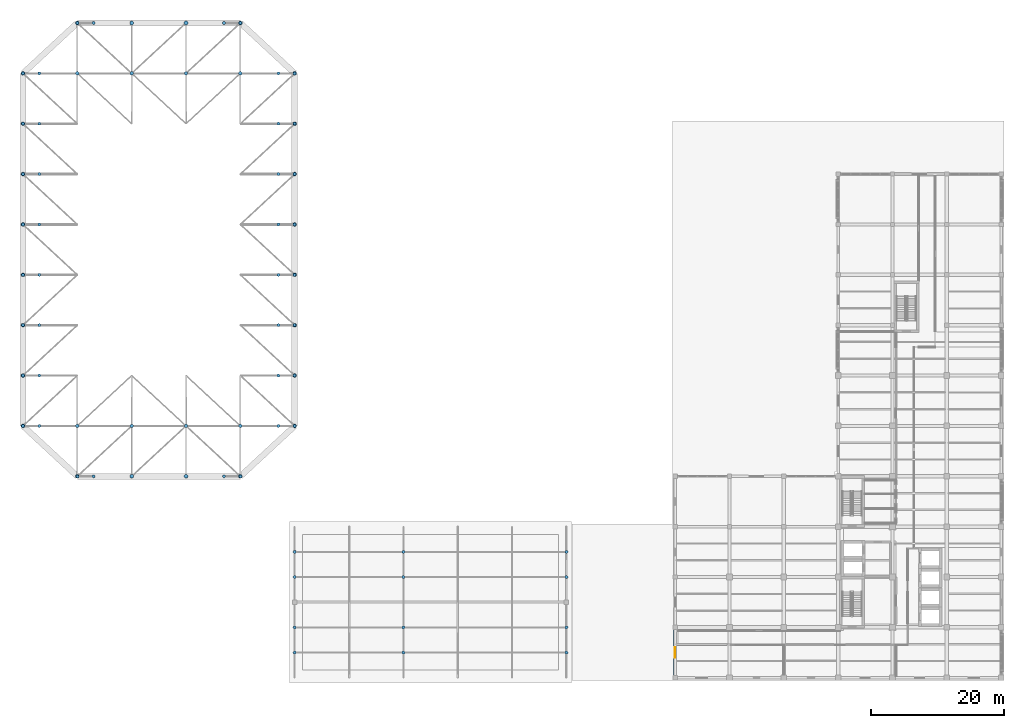
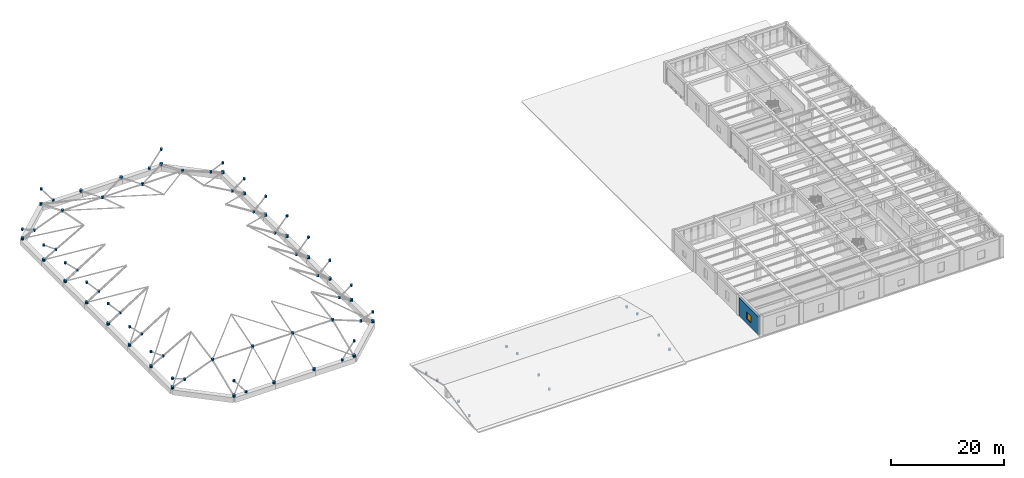
# One storey, part 14 of 23: 84 plates, 1 wall, 1 window, 1 opening.
"""IFC4 building model written with IfcOpenShell, lengths in metres."""

import ifcopenshell
import ifcopenshell.guid

model = None  # the IFC model being written
_history = None  # IfcOwnerHistory: only IFC2X3 demands one
_inside = {}  # id of a spatial element -> (the spatial element, [elements in it])
_under = {}  # id of a project, library or spatial element -> (it, [spatial elements below it])
_declared = {}  # id of a project -> (the project, [libraries it declares])
_typed = {}  # id of a type object -> (the type object, [elements of that type])
_made_of = {}  # id of a material, layer set ... -> (it, [elements and type objects made of it])


def new_model(schema):
    """Start an empty IFC model of exactly this schema.

    Asked for "IFC4X3", IfcOpenShell would pick the latest addendum, in which some entities
    have other attributes; the version numbers below select the first issue.
    IFC2X3 requires an IfcOwnerHistory on every rooted entity: one is made here for all.
    """
    global model, _history
    if schema == "IFC4X3":
        model = ifcopenshell.file(schema_version=(4, 3, 0, 0))
    else:
        model = ifcopenshell.file(schema=schema)
    _inside.clear()
    _under.clear()
    _declared.clear()
    _typed.clear()
    _made_of.clear()
    _history = None
    if model.schema == "IFC2X3":
        org = make("IfcOrganization", Name="unknown")
        user = make(
            "IfcPersonAndOrganization",
            ThePerson=make("IfcPerson", FamilyName="unknown"),
            TheOrganization=org,
        )
        app = make(
            "IfcApplication",
            ApplicationDeveloper=org,
            Version="unknown",
            ApplicationFullName="unknown",
            ApplicationIdentifier="unknown",
        )
        _history = make(
            "IfcOwnerHistory",
            OwningUser=user,
            OwningApplication=app,
            ChangeAction="ADDED",
            CreationDate=0,
        )
    return model


def make(cls, **values):
    """One entity of the class cls with the attributes given. An attribute that is None is left unset."""
    return model.create_entity(
        cls, **{name: value for name, value in values.items() if value is not None}
    )


def rooted(cls, **values):
    """An entity with a GlobalId (a new one), such as an element, a storey or a relation."""
    return make(cls, GlobalId=ifcopenshell.guid.new(), OwnerHistory=_history, **values)


def si_unit(unit_type, name, prefix=None):
    """IfcSIUnit, for example si_unit("LENGTHUNIT", "METRE", prefix="MILLI")."""
    return make("IfcSIUnit", UnitType=unit_type, Prefix=prefix, Name=name)


def assignment(units):
    """IfcUnitAssignment: the units of a project."""
    return None if units is None else make("IfcUnitAssignment", Units=units)


def point(xyz):
    """IfcCartesianPoint."""
    return None if xyz is None else make("IfcCartesianPoint", Coordinates=xyz)


def direction(xyz):
    """IfcDirection."""
    return None if xyz is None else make("IfcDirection", DirectionRatios=xyz)


def frame(location, z_axis=None, x_axis=None):
    """IfcAxis2Placement3D, a coordinate frame: its origin and axes. An axis left out is left unset."""
    return make(
        "IfcAxis2Placement3D",
        Location=point(location),
        Axis=direction(z_axis),
        RefDirection=direction(x_axis),
    )


def frame_2d(location, x_axis=None):
    """IfcAxis2Placement2D, a coordinate frame in the plane: its origin and x axis."""
    return make(
        "IfcAxis2Placement2D", Location=point(location), RefDirection=direction(x_axis)
    )


def origin():
    """The frame at (0, 0, 0) with its axes left unset."""
    return frame((0.0, 0.0, 0.0))


def origin_2d():
    """The frame at (0, 0) in the plane with its x axis left unset."""
    return frame_2d((0.0, 0.0))


def place(relative_to, where):
    """IfcLocalPlacement: puts the frame where relative to a parent placement (None: the world)."""
    return make(
        "IfcLocalPlacement", PlacementRelTo=relative_to, RelativePlacement=where
    )


def context(
    kind, dimensions, precision=None, world=None, true_north=None, identifier=None
):
    """IfcGeometricRepresentationContext, for example the 3D "Model" context."""
    return make(
        "IfcGeometricRepresentationContext",
        ContextIdentifier=identifier,
        ContextType=kind,
        CoordinateSpaceDimension=dimensions,
        Precision=precision,
        WorldCoordinateSystem=world,
        TrueNorth=true_north,
    )


def subcontext(parent, identifier, kind, view, scale=None):
    """IfcGeometricRepresentationSubContext, for example "Body" below "Model"."""
    return make(
        "IfcGeometricRepresentationSubContext",
        ContextIdentifier=identifier,
        ContextType=kind,
        ParentContext=parent,
        TargetScale=scale,
        TargetView=view,
    )


def project(units=None, contexts=None):
    """IfcProject with its units and contexts."""
    return rooted(
        "IfcProject",
        Name="project",
        RepresentationContexts=contexts,
        UnitsInContext=assignment(units),
    )


def spatial(cls, under=None, at=None, **own):
    """A site, building, storey or space (cls), placed at a placement, below another one or the project."""
    s = rooted(cls, ObjectPlacement=at, **own)
    if under is not None:
        _under.setdefault(under.id(), (under, []))[1].append(s)
    return s


def profile(cls, at=None, kind="AREA", **sizes):
    """A parametric profile (cls). Its sizes go by their IFC names, for example OverallWidth=200.0."""
    return make(cls, ProfileType=kind, Position=at, **sizes)


def rectangle(**sizes):
    """IfcRectangleProfileDef."""
    return profile("IfcRectangleProfileDef", **sizes)


def circle(**sizes):
    """IfcCircleProfileDef."""
    return profile("IfcCircleProfileDef", **sizes)


def extrude(swept, where, along, depth):
    """IfcExtrudedAreaSolid: the profile swept, set in the frame where, extruded along a direction by depth."""
    return make(
        "IfcExtrudedAreaSolid",
        SweptArea=swept,
        Position=where,
        ExtrudedDirection=direction(along),
        Depth=depth,
    )


def shape(context_of_items, identifier, shape_type, items):
    """IfcShapeRepresentation: the items that make up one representation, for example the "Body"."""
    return make(
        "IfcShapeRepresentation",
        ContextOfItems=context_of_items,
        RepresentationIdentifier=identifier,
        RepresentationType=shape_type,
        Items=items,
    )


def material(Name=None, Category=None):
    """IfcMaterial."""
    return make("IfcMaterial", Name=Name, Category=Category)


def layer(
    of_material, thickness, ventilated=None, Name=None, Category=None, Priority=None
):
    """IfcMaterialLayer: one layer of a wall or slab, of a material (None: an air gap)."""
    return make(
        "IfcMaterialLayer",
        Material=of_material,
        LayerThickness=thickness,
        IsVentilated=ventilated,
        Name=Name,
        Category=Category,
        Priority=Priority,
    )


def layer_set(layers, Name=None):
    """IfcMaterialLayerSet."""
    return make("IfcMaterialLayerSet", MaterialLayers=layers, LayerSetName=Name)


def made_of(thing, what):
    """Note that an element or type object is made of a material, layer set ...; save() writes the relation."""
    if what is not None:
        _made_of.setdefault(what.id(), (what, []))[1].append(thing)
    return thing


def type_object(cls, material=None, **own):
    """A type object (cls), such as IfcWallType, which elements share."""
    return made_of(rooted(cls, **own), material)


def element(
    cls,
    number,
    at=None,
    inside=None,
    cuts=None,
    type_object=None,
    material=None,
    context=None,
    identifier="Body",
    shape_type=None,
    held_by="IfcProductDefinitionShape",
    body=None,
    shapes=None,
    **own,
):
    """One element of the class cls, such as IfcWall. Its Tag is "e" and its number.

    at: its placement. inside: the storey or other place that contains it. cuts: it is an
    opening in that element (IfcRelVoidsElement). A single representation is given by context,
    identifier, shape_type and body (its items); several are given by shapes. held_by: the class
    of the entity that holds the representations. save() writes the other relations.
    """
    e = rooted(cls, Tag="e%d" % number, ObjectPlacement=at, **own)
    if body is not None:
        shapes = [shape(context, identifier, shape_type, body)]
    if shapes is not None:
        e.Representation = make(held_by, Representations=shapes)
    if inside is not None:
        _inside.setdefault(inside.id(), (inside, []))[1].append(e)
    if cuts is not None:
        rooted(
            "IfcRelVoidsElement", RelatingBuildingElement=cuts, RelatedOpeningElement=e
        )
    if type_object is not None:
        _typed.setdefault(type_object.id(), (type_object, []))[1].append(e)
    return made_of(e, material)


def fill(opening, filler):
    """IfcRelFillsElement: the door or window that sits in an opening."""
    return rooted(
        "IfcRelFillsElement",
        RelatingOpeningElement=opening,
        RelatedBuildingElement=filler,
    )


def aggregate(whole, parts):
    """IfcRelAggregates: a whole, such as a stair, and the parts it consists of."""
    return rooted("IfcRelAggregates", RelatingObject=whole, RelatedObjects=parts)


def save(model, path):
    """Write the relations noted so far, then the file.

    IfcRelAggregates (storeys below a building ...), IfcRelContainedInSpatialStructure (elements
    in a storey), IfcRelDefinesByType, IfcRelAssociatesMaterial and IfcRelDeclares: one each for
    every whole, place, type object, material and project.
    """
    for whole, parts in _under.values():
        aggregate(whole, parts)
    for where, things in _inside.values():
        rooted(
            "IfcRelContainedInSpatialStructure",
            RelatedElements=things,
            RelatingStructure=where,
        )
    for kind, things in _typed.values():
        rooted("IfcRelDefinesByType", RelatedObjects=things, RelatingType=kind)
    for what, things in _made_of.values():
        rooted("IfcRelAssociatesMaterial", RelatedObjects=things, RelatingMaterial=what)
    for by, libraries in _declared.values():
        rooted("IfcRelDeclares", RelatingContext=by, RelatedDefinitions=libraries)
    model.write(path)


model = new_model("IFC4")

# Units and contexts
model_context = context("Model", 3, precision=1e-05, world=origin(), true_north=direction((0.0, 1.0)))
body_context = subcontext(model_context, "Body", "Model", "MODEL_VIEW")
ifc_project = project(units=[si_unit("LENGTHUNIT", "METRE"), si_unit("AREAUNIT", "SQUARE_METRE"), si_unit("VOLUMEUNIT", "CUBIC_METRE"), si_unit("PLANEANGLEUNIT", "RADIAN"), si_unit("MASSUNIT", "GRAM", prefix="KILO")], contexts=[model_context])

# Site, building, storey
site_placement = place(None, origin())
site = spatial("IfcSite", under=ifc_project, at=site_placement, CompositionType="ELEMENT")
building_placement = place(site_placement, origin())
building = spatial("IfcBuilding", under=site, at=building_placement, Name="Qandaris Square Conservatory and Botanical Centre", CompositionType="ELEMENT")
storey_placement = place(building_placement, frame((0.0, 0.0, 15.0)))
storey = spatial("IfcBuildingStorey", under=building, at=storey_placement, Name="L03", CompositionType="ELEMENT", Elevation=15.0)

# Plates
ifc_material_1 = material(Name="Steel S355", Category="steel")
ifc_layer_1 = layer(ifc_material_1, 0.419921875)
ifc_layer_set_1 = layer_set([ifc_layer_1], Name="Steel S355")
plate_type_1 = type_object("IfcPlateType", Name="Gridshell Crown Connector Drum KN3", PredefinedType="USERDEFINED", material=ifc_layer_set_1)
for number, where, z_axis, x_axis, name in (
    (1, (16.199951171875, 54.60009765625, 2.00048828125), (0.0, 0.0, 1.0), (1.0, 0.0, 0.0), "Dome Glazing Node 0.1"),
    (2, (18.659912109375, 54.60009765625, 0.924072265625), (0.0, 0.0, 1.0), (1.0, 0.0, 0.0), "Dome Strut Seat 0.1"),
    (3, (16.199951171875, 62.199951171875, 3.1708984375), (0.0, 0.0, 1.0), (1.0, 0.0, 0.0), "Dome Glazing Node 0.2"),
    (4, (18.659912109375, 62.199951171875, 1.36474609375), (0.0, 0.0, 1.0), (1.0, 0.0, 0.0), "Dome Strut Seat 0.2"),
    (5, (16.199951171875, 69.800048828125, 3.951171875), (0.0, 0.0, 1.0), (1.0, 0.0, 0.0), "Dome Glazing Node 0.3"),
    (6, (18.659912109375, 69.800048828125, 1.515625), (0.0, 0.0, 1.0), (1.0, 0.0, 0.0), "Dome Strut Seat 0.3"),
    (7, (16.199951171875, 77.39990234375, 4.34130859375), (0.0, 0.0, 1.0), (1.0, 0.0, 0.0), "Dome Glazing Node 0.4"),
    (8, (18.659912109375, 77.39990234375, 1.515625), (0.0, 0.0, 1.0), (1.0, 0.0, 0.0), "Dome Strut Seat 0.4"),
    (9, (16.199951171875, 85.0, 4.34130859375), (0.0, 0.0, 1.0), (1.0, 0.0, 0.0), "Dome Glazing Node 0.5"),
    (10, (18.659912109375, 85.0, 1.515625), (0.0, 0.0, 1.0), (1.0, 0.0, 0.0), "Dome Strut Seat 0.5"),
    (11, (16.199951171875, 92.60009765625, 3.951171875), (0.0, 0.0, 1.0), (1.0, 0.0, 0.0), "Dome Glazing Node 0.6"),
    (12, (18.659912109375, 92.60009765625, 1.515625), (0.0, 0.0, 1.0), (1.0, 0.0, 0.0), "Dome Strut Seat 0.6"),
    (13, (16.199951171875, 100.199951171875, 3.1708984375), (0.0, 0.0, 1.0), (1.0, 0.0, 0.0), "Dome Glazing Node 0.7"),
    (14, (18.659912109375, 100.199951171875, 1.36474609375), (0.0, 0.0, 1.0), (1.0, 0.0, 0.0), "Dome Strut Seat 0.7"),
    (15, (16.199951171875, 107.800048828125, 2.00048828125), (0.0, 0.0, 1.0), (1.0, 0.0, 0.0), "Dome Glazing Node 0.8"),
    (16, (18.659912109375, 107.800048828125, 0.924072265625), (0.0, 0.0, 1.0), (1.0, 0.0, 0.0), "Dome Strut Seat 0.8"),
    (17, (24.39990234375, 47.0, 3.22412109375), (0.0, 0.0, 1.0), (1.0, 0.0, 0.0), "Dome Glazing Node 1.0"),
    (18, (26.860107421875, 47.0, -0.030029296875), (0.0, 0.0, 1.0), (1.0, 0.0, 0.0), "Dome Strut Seat 1.0"),
    (19, (24.39990234375, 115.39990234375, 3.22412109375), (0.0, 0.0, 1.0), (1.0, 0.0, 0.0), "Dome Glazing Node 1.9"),
    (20, (26.860107421875, 115.39990234375, -0.030029296875), (0.0, 0.0, 1.0), (1.0, 0.0, 0.0), "Dome Strut Seat 1.9"),
    (21, (49.0, 47.0, 3.22412109375), (0.0, 0.0, 1.0), (1.0, 0.0, 0.0), "Dome Glazing Node 4.0"),
    (22, (46.5400390625, 47.0, -0.030029296875), (0.0, 0.0, 1.0), (1.0, 0.0, 0.0), "Dome Strut Seat 4.0"),
    (23, (49.0, 115.39990234375, 3.22412109375), (0.0, 0.0, 1.0), (1.0, 0.0, 0.0), "Dome Glazing Node 4.9"),
    (24, (46.5400390625, 115.39990234375, -0.030029296875), (0.0, 0.0, 1.0), (1.0, 0.0, 0.0), "Dome Strut Seat 4.9"),
    (25, (57.199951171875, 54.60009765625, 2.00048828125), (0.0, 0.0, 1.0), (1.0, 0.0, 0.0), "Dome Glazing Node 5.1"),
    (26, (54.739990234375, 54.60009765625, 0.924072265625), (0.0, 0.0, 1.0), (1.0, 0.0, 0.0), "Dome Strut Seat 5.1"),
    (27, (57.199951171875, 62.199951171875, 3.1708984375), (0.0, 0.0, 1.0), (1.0, 0.0, 0.0), "Dome Glazing Node 5.2"),
    (28, (54.739990234375, 62.199951171875, 1.36474609375), (0.0, 0.0, 1.0), (1.0, 0.0, 0.0), "Dome Strut Seat 5.2"),
    (29, (57.199951171875, 69.800048828125, 3.951171875), (0.0, 0.0, 1.0), (1.0, 0.0, 0.0), "Dome Glazing Node 5.3"),
    (30, (54.739990234375, 69.800048828125, 1.515625), (0.0, 0.0, 1.0), (1.0, 0.0, 0.0), "Dome Strut Seat 5.3"),
    (31, (57.199951171875, 77.39990234375, 4.34130859375), (0.0, 0.0, 1.0), (1.0, 0.0, 0.0), "Dome Glazing Node 5.4"),
    (32, (54.739990234375, 77.39990234375, 1.515625), (0.0, 0.0, 1.0), (1.0, 0.0, 0.0), "Dome Strut Seat 5.4"),
    (33, (57.199951171875, 85.0, 4.34130859375), (0.0, 0.0, 1.0), (1.0, 0.0, 0.0), "Dome Glazing Node 5.5"),
    (34, (54.739990234375, 85.0, 1.515625), (0.0, 0.0, 1.0), (1.0, 0.0, 0.0), "Dome Strut Seat 5.5"),
    (35, (57.199951171875, 92.60009765625, 3.951171875), (0.0, 0.0, 1.0), (1.0, 0.0, 0.0), "Dome Glazing Node 5.6"),
    (36, (54.739990234375, 92.60009765625, 1.515625), (0.0, 0.0, 1.0), (1.0, 0.0, 0.0), "Dome Strut Seat 5.6"),
    (37, (57.199951171875, 100.199951171875, 3.1708984375), (0.0, 0.0, 1.0), (1.0, 0.0, 0.0), "Dome Glazing Node 5.7"),
    (38, (54.739990234375, 100.199951171875, 1.36474609375), (0.0, 0.0, 1.0), (1.0, 0.0, 0.0), "Dome Strut Seat 5.7"),
    (39, (57.199951171875, 107.800048828125, 2.00048828125), (0.0, 0.0, 1.0), (1.0, 0.0, 0.0), "Dome Glazing Node 5.8"),
    (40, (54.739990234375, 107.800048828125, 0.924072265625), (0.0, 0.0, 1.0), (1.0, 0.0, 0.0), "Dome Strut Seat 5.8"),
    (41, (57.199951171875, 20.39990234375, 0.29345703125), (0.0, 0.0, 1.0), (1.0, 0.0, 0.0), "Auditorium Purlin Cap AUD-KN-572-204"),
    (42, (73.60009765625, 20.39990234375, 0.29345703125), (0.0, 0.0, 1.0), (1.0, 0.0, 0.0), "Auditorium Purlin Cap AUD-KN-736-204"),
    (43, (98.199951171875, 20.39990234375, 0.29345703125), (0.0, 0.0, 1.0), (1.0, 0.0, 0.0), "Auditorium Purlin Cap AUD-KN-982-204"),
    (44, (57.199951171875, 24.199951171875, 1.07666015625), (0.0, 0.0, 1.0), (1.0, 0.0, 0.0), "Auditorium Purlin Cap AUD-KN-572-242"),
    (45, (73.60009765625, 24.199951171875, 1.07666015625), (0.0, 0.0, 1.0), (1.0, 0.0, 0.0), "Auditorium Purlin Cap AUD-KN-736-242"),
    (46, (98.199951171875, 24.199951171875, 1.07666015625), (0.0, 0.0, 1.0), (1.0, 0.0, 0.0), "Auditorium Purlin Cap AUD-KN-982-242"),
    (47, (57.199951171875, 31.800048828125, 1.07666015625), (0.0, 0.0, 1.0), (1.0, 0.0, 0.0), "Auditorium Purlin Cap AUD-KN-572-318"),
    (48, (73.60009765625, 31.800048828125, 1.07666015625), (0.0, 0.0, 1.0), (1.0, 0.0, 0.0), "Auditorium Purlin Cap AUD-KN-736-318"),
    (49, (98.199951171875, 31.800048828125, 1.07666015625), (0.0, 0.0, 1.0), (1.0, 0.0, 0.0), "Auditorium Purlin Cap AUD-KN-982-318"),
    (50, (57.199951171875, 35.60009765625, 0.29345703125), (0.0, 0.0, 1.0), (1.0, 0.0, 0.0), "Auditorium Purlin Cap AUD-KN-572-356"),
    (51, (73.60009765625, 35.60009765625, 0.29345703125), (0.0, 0.0, 1.0), (1.0, 0.0, 0.0), "Auditorium Purlin Cap AUD-KN-736-356"),
    (52, (98.199951171875, 35.60009765625, 0.29345703125), (0.0, 0.0, 1.0), (1.0, 0.0, 0.0), "Auditorium Purlin Cap AUD-KN-982-356"),
):
    element("IfcPlate", number, at=place(storey_placement, frame(where, z_axis=z_axis, x_axis=x_axis)), inside=storey, type_object=plate_type_1, Name=name, ObjectType="CONNECTOR PLATE", PredefinedType="USERDEFINED", context=body_context, shape_type="SweptSolid", body=[
        extrude(circle(Radius=0.22998046875, at=origin_2d()), origin(), (0.0, 0.0, 1.0), 0.419921875),
    ])
ifc_layer_2 = layer(ifc_material_1, 0.47998046875)
ifc_layer_set_2 = layer_set([ifc_layer_2], Name="Steel S355")
plate_type_2 = type_object("IfcPlateType", Name="Gridshell Mid Connector Drum KN2", PredefinedType="USERDEFINED", material=ifc_layer_set_2)
for number, where, z_axis, x_axis, name in (
    (53, (24.39990234375, 54.60009765625, 3.1201171875), (0.0, 0.0, 1.0), (1.0, 0.0, 0.0), "Gridshell Node Drum KN-1-1"),
    (54, (24.39990234375, 107.800048828125, 3.1201171875), (0.0, 0.0, 1.0), (1.0, 0.0, 0.0), "Gridshell Node Drum KN-1-8"),
    (55, (32.60009765625, 54.60009765625, 3.1201171875), (0.0, 0.0, 1.0), (1.0, 0.0, 0.0), "Gridshell Node Drum KN-2-1"),
    (56, (32.60009765625, 107.800048828125, 3.1201171875), (0.0, 0.0, 1.0), (1.0, 0.0, 0.0), "Gridshell Node Drum KN-2-8"),
    (57, (40.800048828125, 54.60009765625, 3.1201171875), (0.0, 0.0, 1.0), (1.0, 0.0, 0.0), "Gridshell Node Drum KN-3-1"),
    (58, (40.800048828125, 107.800048828125, 3.1201171875), (0.0, 0.0, 1.0), (1.0, 0.0, 0.0), "Gridshell Node Drum KN-3-8"),
    (59, (49.0, 54.60009765625, 3.1201171875), (0.0, 0.0, 1.0), (1.0, 0.0, 0.0), "Gridshell Node Drum KN-4-1"),
    (60, (49.0, 107.800048828125, 3.1201171875), (0.0, 0.0, 1.0), (1.0, 0.0, 0.0), "Gridshell Node Drum KN-4-8"),
):
    element("IfcPlate", number, at=place(storey_placement, frame(where, z_axis=z_axis, x_axis=x_axis)), inside=storey, type_object=plate_type_2, Name=name, ObjectType="CONNECTOR PLATE", PredefinedType="USERDEFINED", context=body_context, shape_type="SweptSolid", body=[
        extrude(circle(Radius=0.260009765625, at=origin_2d()), origin(), (0.0, 0.0, 1.0), 0.47998046875),
    ])
ifc_layer_3 = layer(ifc_material_1, 0.5400390625)
ifc_layer_set_3 = layer_set([ifc_layer_3], Name="Steel S355")
plate_type_3 = type_object("IfcPlateType", Name="Gridshell Springing Connector Drum KN1", PredefinedType="USERDEFINED", material=ifc_layer_set_3)
for number, where, z_axis, x_axis, name in (
    (61, (16.199951171875, 54.60009765625, -0.090087890625), (0.0, 0.0, 1.0), (1.0, 0.0, 0.0), "Gridshell Node Drum KN-0-1"),
    (62, (16.199951171875, 62.199951171875, -0.090087890625), (0.0, 0.0, 1.0), (1.0, 0.0, 0.0), "Gridshell Node Drum KN-0-2"),
    (63, (16.199951171875, 69.800048828125, -0.090087890625), (0.0, 0.0, 1.0), (1.0, 0.0, 0.0), "Gridshell Node Drum KN-0-3"),
    (64, (16.199951171875, 77.39990234375, -0.090087890625), (0.0, 0.0, 1.0), (1.0, 0.0, 0.0), "Gridshell Node Drum KN-0-4"),
    (65, (16.199951171875, 85.0, -0.090087890625), (0.0, 0.0, 1.0), (1.0, 0.0, 0.0), "Gridshell Node Drum KN-0-5"),
    (66, (16.199951171875, 92.60009765625, -0.090087890625), (0.0, 0.0, 1.0), (1.0, 0.0, 0.0), "Gridshell Node Drum KN-0-6"),
    (67, (16.199951171875, 100.199951171875, -0.090087890625), (0.0, 0.0, 1.0), (1.0, 0.0, 0.0), "Gridshell Node Drum KN-0-7"),
    (68, (16.199951171875, 107.800048828125, -0.090087890625), (0.0, 0.0, 1.0), (1.0, 0.0, 0.0), "Gridshell Node Drum KN-0-8"),
    (69, (24.39990234375, 47.0, -0.090087890625), (0.0, 0.0, 1.0), (1.0, 0.0, 0.0), "Gridshell Node Drum KN-1-0"),
    (70, (24.39990234375, 115.39990234375, -0.090087890625), (0.0, 0.0, 1.0), (1.0, 0.0, 0.0), "Gridshell Node Drum KN-1-9"),
    (71, (32.60009765625, 47.0, -0.090087890625), (0.0, 0.0, 1.0), (1.0, 0.0, 0.0), "Gridshell Node Drum KN-2-0"),
    (72, (32.60009765625, 115.39990234375, -0.090087890625), (0.0, 0.0, 1.0), (1.0, 0.0, 0.0), "Gridshell Node Drum KN-2-9"),
    (73, (40.800048828125, 47.0, -0.090087890625), (0.0, 0.0, 1.0), (1.0, 0.0, 0.0), "Gridshell Node Drum KN-3-0"),
    (74, (40.800048828125, 115.39990234375, -0.090087890625), (0.0, 0.0, 1.0), (1.0, 0.0, 0.0), "Gridshell Node Drum KN-3-9"),
    (75, (49.0, 47.0, -0.090087890625), (0.0, 0.0, 1.0), (1.0, 0.0, 0.0), "Gridshell Node Drum KN-4-0"),
    (76, (49.0, 115.39990234375, -0.090087890625), (0.0, 0.0, 1.0), (1.0, 0.0, 0.0), "Gridshell Node Drum KN-4-9"),
    (77, (57.199951171875, 54.60009765625, -0.090087890625), (0.0, 0.0, 1.0), (1.0, 0.0, 0.0), "Gridshell Node Drum KN-5-1"),
    (78, (57.199951171875, 62.199951171875, -0.090087890625), (0.0, 0.0, 1.0), (1.0, 0.0, 0.0), "Gridshell Node Drum KN-5-2"),
    (79, (57.199951171875, 69.800048828125, -0.090087890625), (0.0, 0.0, 1.0), (1.0, 0.0, 0.0), "Gridshell Node Drum KN-5-3"),
    (80, (57.199951171875, 77.39990234375, -0.090087890625), (0.0, 0.0, 1.0), (1.0, 0.0, 0.0), "Gridshell Node Drum KN-5-4"),
    (81, (57.199951171875, 85.0, -0.090087890625), (0.0, 0.0, 1.0), (1.0, 0.0, 0.0), "Gridshell Node Drum KN-5-5"),
    (82, (57.199951171875, 92.60009765625, -0.090087890625), (0.0, 0.0, 1.0), (1.0, 0.0, 0.0), "Gridshell Node Drum KN-5-6"),
    (83, (57.199951171875, 100.199951171875, -0.090087890625), (0.0, 0.0, 1.0), (1.0, 0.0, 0.0), "Gridshell Node Drum KN-5-7"),
    (84, (57.199951171875, 107.800048828125, -0.090087890625), (0.0, 0.0, 1.0), (1.0, 0.0, 0.0), "Gridshell Node Drum KN-5-8"),
):
    element("IfcPlate", number, at=place(storey_placement, frame(where, z_axis=z_axis, x_axis=x_axis)), inside=storey, type_object=plate_type_3, Name=name, ObjectType="CONNECTOR PLATE", PredefinedType="USERDEFINED", context=body_context, shape_type="SweptSolid", body=[
        extrude(circle(Radius=0.2900390625, at=origin_2d()), origin(), (0.0, 0.0, 1.0), 0.5400390625),
    ])

# Wall, opening, window
ifc_material_2 = material(Name="Concrete C40/50", Category="concrete")
ifc_layer_4 = layer(ifc_material_2, 0.419921875)
ifc_layer_set_4 = layer_set([ifc_layer_4], Name="Concrete C40/50")
wall_type = type_object("IfcWallType", Name="Insulated Qatari Limestone Cavity Wall 420mm", PredefinedType="SOLIDWALL", material=ifc_layer_set_4)
wall_placement = place(storey_placement, frame((114.60009765625, 23.81494140625, 0.0), z_axis=(0.0, 0.0, 1.0), x_axis=(0.0, -1.0, 0.0)))
wall = element("IfcWall", 85, at=wall_placement, inside=storey, type_object=wall_type, Name="Exterior Wall EW-TWR-L03-6-4", PredefinedType="SOLIDWALL", context=body_context, shape_type="SweptSolid", body=[
    extrude(rectangle(XDim=6.829833984375, YDim=0.419921875, at=frame_2d((3.4150390625, 0.0))), origin(), (0.0, 0.0, 1.0), 3.929931640625),
])
opening_placement = place(wall_placement, frame((2.639892578125, 0.0, 0.949951171875)))
opening = element("IfcOpeningElement", 86, at=opening_placement, cuts=wall, Name="Opening WN-26", PredefinedType="OPENING", context=body_context, shape_type="SweptSolid", body=[
    extrude(rectangle(XDim=1.550048828125, YDim=1.5, at=frame_2d((0.77490234375, 0.75))), frame((0.0, 0.221923828125, 0.0), z_axis=(0.0, -1.0, 0.0), x_axis=(1.0, 0.0, 0.0)), (0.0, 0.0, 1.0), 0.44384765625),
])
ifc_material_3 = material(Name="Tempered Low-E Glass", Category="glass")
window_type = type_object("IfcWindowType", Name="Solar Control Window 1550x1500", PartitioningType="DOUBLE_PANEL_VERTICAL", PredefinedType="WINDOW", material=ifc_material_3)
window_placement = place(opening_placement, origin())
window = element("IfcWindow", 87, at=window_placement, inside=storey, type_object=window_type, Name="Window EW-TWR-L03-6-4", OverallHeight=1.5, OverallWidth=1.550048828125, PartitioningType="DOUBLE_PANEL_VERTICAL", PredefinedType="WINDOW", context=body_context, shape_type="SweptSolid", body=[
    extrude(rectangle(XDim=1.550048828125, YDim=1.5, at=frame_2d((0.77490234375, 0.75))), frame((0.0, 0.030029296875, 0.0), z_axis=(0.0, -1.0, 0.0), x_axis=(1.0, 0.0, 0.0)), (0.0, 0.0, 1.0), 0.06005859375),
])
fill(opening, window)

save(model, "model.ifc")
